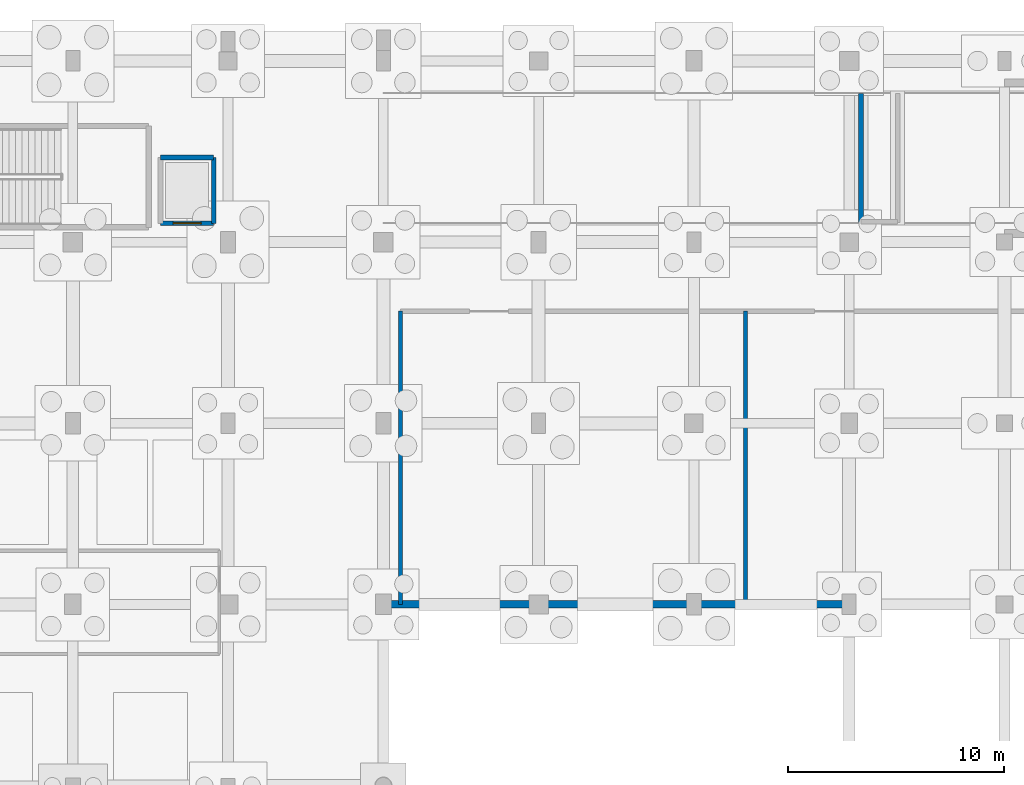
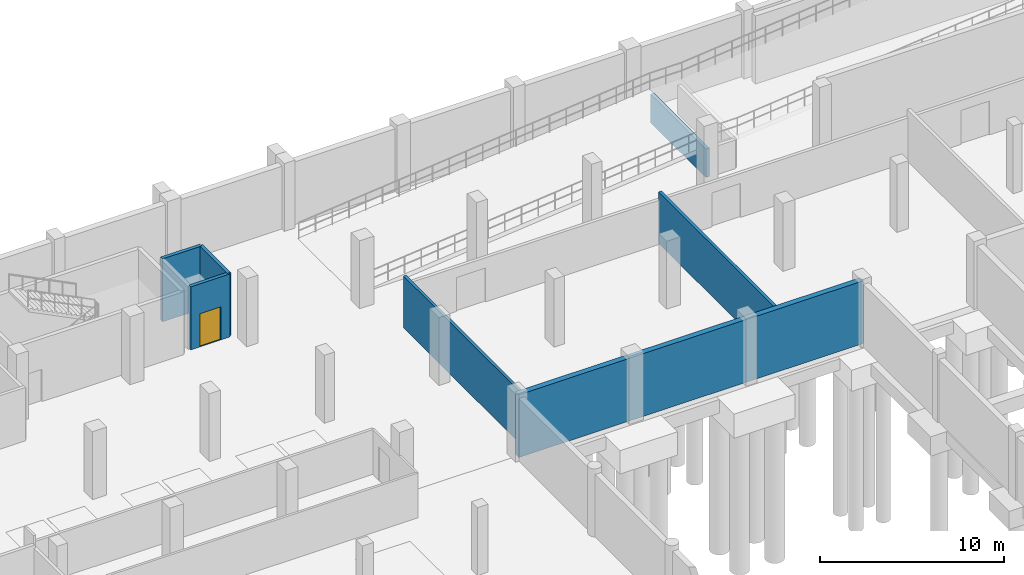
# One storey, part 24 of 35: 7 walls, 1 door, 1 opening.
"""IFC4 building model written with IfcOpenShell, lengths in metres."""

import ifcopenshell
import ifcopenshell.guid

model = None  # the IFC model being written
_history = None  # IfcOwnerHistory: only IFC2X3 demands one
_inside = {}  # id of a spatial element -> (the spatial element, [elements in it])
_under = {}  # id of a project, library or spatial element -> (it, [spatial elements below it])
_declared = {}  # id of a project -> (the project, [libraries it declares])
_typed = {}  # id of a type object -> (the type object, [elements of that type])
_made_of = {}  # id of a material, layer set ... -> (it, [elements and type objects made of it])


def new_model(schema):
    """Start an empty IFC model of exactly this schema.

    Asked for "IFC4X3", IfcOpenShell would pick the latest addendum, in which some entities
    have other attributes; the version numbers below select the first issue.
    IFC2X3 requires an IfcOwnerHistory on every rooted entity: one is made here for all.
    """
    global model, _history
    if schema == "IFC4X3":
        model = ifcopenshell.file(schema_version=(4, 3, 0, 0))
    else:
        model = ifcopenshell.file(schema=schema)
    _inside.clear()
    _under.clear()
    _declared.clear()
    _typed.clear()
    _made_of.clear()
    _history = None
    if model.schema == "IFC2X3":
        org = make("IfcOrganization", Name="unknown")
        user = make(
            "IfcPersonAndOrganization",
            ThePerson=make("IfcPerson", FamilyName="unknown"),
            TheOrganization=org,
        )
        app = make(
            "IfcApplication",
            ApplicationDeveloper=org,
            Version="unknown",
            ApplicationFullName="unknown",
            ApplicationIdentifier="unknown",
        )
        _history = make(
            "IfcOwnerHistory",
            OwningUser=user,
            OwningApplication=app,
            ChangeAction="ADDED",
            CreationDate=0,
        )
    return model


def make(cls, **values):
    """One entity of the class cls with the attributes given. An attribute that is None is left unset."""
    return model.create_entity(
        cls, **{name: value for name, value in values.items() if value is not None}
    )


def rooted(cls, **values):
    """An entity with a GlobalId (a new one), such as an element, a storey or a relation."""
    return make(cls, GlobalId=ifcopenshell.guid.new(), OwnerHistory=_history, **values)


def si_unit(unit_type, name, prefix=None):
    """IfcSIUnit, for example si_unit("LENGTHUNIT", "METRE", prefix="MILLI")."""
    return make("IfcSIUnit", UnitType=unit_type, Prefix=prefix, Name=name)


def assignment(units):
    """IfcUnitAssignment: the units of a project."""
    return None if units is None else make("IfcUnitAssignment", Units=units)


def point(xyz):
    """IfcCartesianPoint."""
    return None if xyz is None else make("IfcCartesianPoint", Coordinates=xyz)


def direction(xyz):
    """IfcDirection."""
    return None if xyz is None else make("IfcDirection", DirectionRatios=xyz)


def frame(location, z_axis=None, x_axis=None):
    """IfcAxis2Placement3D, a coordinate frame: its origin and axes. An axis left out is left unset."""
    return make(
        "IfcAxis2Placement3D",
        Location=point(location),
        Axis=direction(z_axis),
        RefDirection=direction(x_axis),
    )


def frame_2d(location, x_axis=None):
    """IfcAxis2Placement2D, a coordinate frame in the plane: its origin and x axis."""
    return make(
        "IfcAxis2Placement2D", Location=point(location), RefDirection=direction(x_axis)
    )


def origin():
    """The frame at (0, 0, 0) with its axes left unset."""
    return frame((0.0, 0.0, 0.0))


def place(relative_to, where):
    """IfcLocalPlacement: puts the frame where relative to a parent placement (None: the world)."""
    return make(
        "IfcLocalPlacement", PlacementRelTo=relative_to, RelativePlacement=where
    )


def context(
    kind, dimensions, precision=None, world=None, true_north=None, identifier=None
):
    """IfcGeometricRepresentationContext, for example the 3D "Model" context."""
    return make(
        "IfcGeometricRepresentationContext",
        ContextIdentifier=identifier,
        ContextType=kind,
        CoordinateSpaceDimension=dimensions,
        Precision=precision,
        WorldCoordinateSystem=world,
        TrueNorth=true_north,
    )


def subcontext(parent, identifier, kind, view, scale=None):
    """IfcGeometricRepresentationSubContext, for example "Body" below "Model"."""
    return make(
        "IfcGeometricRepresentationSubContext",
        ContextIdentifier=identifier,
        ContextType=kind,
        ParentContext=parent,
        TargetScale=scale,
        TargetView=view,
    )


def project(units=None, contexts=None):
    """IfcProject with its units and contexts."""
    return rooted(
        "IfcProject",
        Name="project",
        RepresentationContexts=contexts,
        UnitsInContext=assignment(units),
    )


def spatial(cls, under=None, at=None, **own):
    """A site, building, storey or space (cls), placed at a placement, below another one or the project."""
    s = rooted(cls, ObjectPlacement=at, **own)
    if under is not None:
        _under.setdefault(under.id(), (under, []))[1].append(s)
    return s


def profile(cls, at=None, kind="AREA", **sizes):
    """A parametric profile (cls). Its sizes go by their IFC names, for example OverallWidth=200.0."""
    return make(cls, ProfileType=kind, Position=at, **sizes)


def rectangle(**sizes):
    """IfcRectangleProfileDef."""
    return profile("IfcRectangleProfileDef", **sizes)


def extrude(swept, where, along, depth):
    """IfcExtrudedAreaSolid: the profile swept, set in the frame where, extruded along a direction by depth."""
    return make(
        "IfcExtrudedAreaSolid",
        SweptArea=swept,
        Position=where,
        ExtrudedDirection=direction(along),
        Depth=depth,
    )


def shape(context_of_items, identifier, shape_type, items):
    """IfcShapeRepresentation: the items that make up one representation, for example the "Body"."""
    return make(
        "IfcShapeRepresentation",
        ContextOfItems=context_of_items,
        RepresentationIdentifier=identifier,
        RepresentationType=shape_type,
        Items=items,
    )


def material(Name=None, Category=None):
    """IfcMaterial."""
    return make("IfcMaterial", Name=Name, Category=Category)


def layer(
    of_material, thickness, ventilated=None, Name=None, Category=None, Priority=None
):
    """IfcMaterialLayer: one layer of a wall or slab, of a material (None: an air gap)."""
    return make(
        "IfcMaterialLayer",
        Material=of_material,
        LayerThickness=thickness,
        IsVentilated=ventilated,
        Name=Name,
        Category=Category,
        Priority=Priority,
    )


def layer_set(layers, Name=None):
    """IfcMaterialLayerSet."""
    return make("IfcMaterialLayerSet", MaterialLayers=layers, LayerSetName=Name)


def made_of(thing, what):
    """Note that an element or type object is made of a material, layer set ...; save() writes the relation."""
    if what is not None:
        _made_of.setdefault(what.id(), (what, []))[1].append(thing)
    return thing


def type_object(cls, material=None, **own):
    """A type object (cls), such as IfcWallType, which elements share."""
    return made_of(rooted(cls, **own), material)


def element(
    cls,
    number,
    at=None,
    inside=None,
    cuts=None,
    type_object=None,
    material=None,
    context=None,
    identifier="Body",
    shape_type=None,
    held_by="IfcProductDefinitionShape",
    body=None,
    shapes=None,
    **own,
):
    """One element of the class cls, such as IfcWall. Its Tag is "e" and its number.

    at: its placement. inside: the storey or other place that contains it. cuts: it is an
    opening in that element (IfcRelVoidsElement). A single representation is given by context,
    identifier, shape_type and body (its items); several are given by shapes. held_by: the class
    of the entity that holds the representations. save() writes the other relations.
    """
    e = rooted(cls, Tag="e%d" % number, ObjectPlacement=at, **own)
    if body is not None:
        shapes = [shape(context, identifier, shape_type, body)]
    if shapes is not None:
        e.Representation = make(held_by, Representations=shapes)
    if inside is not None:
        _inside.setdefault(inside.id(), (inside, []))[1].append(e)
    if cuts is not None:
        rooted(
            "IfcRelVoidsElement", RelatingBuildingElement=cuts, RelatedOpeningElement=e
        )
    if type_object is not None:
        _typed.setdefault(type_object.id(), (type_object, []))[1].append(e)
    return made_of(e, material)


def fill(opening, filler):
    """IfcRelFillsElement: the door or window that sits in an opening."""
    return rooted(
        "IfcRelFillsElement",
        RelatingOpeningElement=opening,
        RelatedBuildingElement=filler,
    )


def aggregate(whole, parts):
    """IfcRelAggregates: a whole, such as a stair, and the parts it consists of."""
    return rooted("IfcRelAggregates", RelatingObject=whole, RelatedObjects=parts)


def save(model, path):
    """Write the relations noted so far, then the file.

    IfcRelAggregates (storeys below a building ...), IfcRelContainedInSpatialStructure (elements
    in a storey), IfcRelDefinesByType, IfcRelAssociatesMaterial and IfcRelDeclares: one each for
    every whole, place, type object, material and project.
    """
    for whole, parts in _under.values():
        aggregate(whole, parts)
    for where, things in _inside.values():
        rooted(
            "IfcRelContainedInSpatialStructure",
            RelatedElements=things,
            RelatingStructure=where,
        )
    for kind, things in _typed.values():
        rooted("IfcRelDefinesByType", RelatedObjects=things, RelatingType=kind)
    for what, things in _made_of.values():
        rooted("IfcRelAssociatesMaterial", RelatedObjects=things, RelatingMaterial=what)
    for by, libraries in _declared.values():
        rooted("IfcRelDeclares", RelatingContext=by, RelatedDefinitions=libraries)
    model.write(path)


model = new_model("IFC4")

# Units and contexts
model_context = context("Model", 3, precision=1e-05, world=origin(), true_north=direction((0.0, 1.0)))
body_context = subcontext(model_context, "Body", "Model", "MODEL_VIEW")
ifc_project = project(units=[si_unit("LENGTHUNIT", "METRE"), si_unit("AREAUNIT", "SQUARE_METRE"), si_unit("VOLUMEUNIT", "CUBIC_METRE"), si_unit("PLANEANGLEUNIT", "RADIAN"), si_unit("MASSUNIT", "GRAM", prefix="KILO")], contexts=[model_context])

# Site, building, storey
site_placement = place(None, origin())
site = spatial("IfcSite", under=ifc_project, at=site_placement, CompositionType="ELEMENT")
building_placement = place(site_placement, origin())
building = spatial("IfcBuilding", under=site, at=building_placement, Name="Kalluvel Institute of Natural Sciences", CompositionType="ELEMENT")
storey_placement = place(building_placement, frame((0.0, 0.0, -4.5)))
storey = spatial("IfcBuildingStorey", under=building, at=storey_placement, Name="B1", CompositionType="ELEMENT", Elevation=-4.5)

# Walls
ifc_material_1 = material(Name="Autoclaved Aerated Concrete Masonry Block", Category="masonry")
ifc_layer_1 = layer(ifc_material_1, 0.179931640625)
ifc_layer_set_1 = layer_set([ifc_layer_1], Name="Autoclaved Aerated Concrete Masonry Block")
wall_type_1 = type_object("IfcWallType", Name="WL-FIRE-180", PredefinedType="SOLIDWALL", material=ifc_layer_set_1)
wall_1_placement = place(storey_placement, frame((86.800048828125, 102.800048828125, 0.0), z_axis=(0.0, 0.0, 1.0), x_axis=(0.0, 1.0, 0.0)))
element("IfcWall", 1, at=wall_1_placement, inside=storey, type_object=wall_type_1, Name="B1 interior fire wall WL-INT-B1-0022", PredefinedType="SOLIDWALL", context=body_context, shape_type="SweptSolid", body=[
    extrude(rectangle(XDim=13.599853515625, YDim=0.179931640625, at=frame_2d((6.7998046875, 0.0))), origin(), (0.0, 0.0, 1.0), 3.43994140625),
])
wall_2_placement = place(storey_placement, frame((102.800048828125, 102.800048828125, 0.0), z_axis=(0.0, 0.0, 1.0), x_axis=(0.0, 1.0, 0.0)))
element("IfcWall", 2, at=wall_2_placement, inside=storey, type_object=wall_type_1, Name="B1 interior fire wall WL-INT-B1-0024", PredefinedType="SOLIDWALL", context=body_context, shape_type="SweptSolid", body=[
    extrude(rectangle(XDim=13.599853515625, YDim=0.179931640625, at=frame_2d((6.7998046875, 0.0))), origin(), (0.0, 0.0, 1.0), 3.409912109375),
])
ifc_material_2 = material(Name="Concrete M40", Category="concrete")
ifc_layer_2 = layer(ifc_material_2, 0.35009765625)
ifc_layer_set_2 = layer_set([ifc_layer_2], Name="Concrete M40")
wall_type_2 = type_object("IfcWallType", Name="WL-RET-350", PredefinedType="USERDEFINED", material=ifc_layer_set_2)
wall_3_placement = place(storey_placement, frame((86.0, 102.800048828125, 0.0), z_axis=(0.0, 0.0, 1.0), x_axis=(1.0, 0.0, 0.0)))
element("IfcWall", 3, at=wall_3_placement, inside=storey, type_object=wall_type_2, Name="Basement perimeter plinth retaining wall 14", ObjectType="RETAINING WALL", PredefinedType="USERDEFINED", context=body_context, shape_type="SweptSolid", body=[
    extrude(rectangle(XDim=21.60009765625, YDim=0.35009765625, at=frame_2d((10.800048828125, 0.0))), origin(), (0.0, 0.0, 1.0), 4.159912109375),
])

# Wall, opening, door
ifc_layer_3 = layer(ifc_material_2, 0.219970703125)
ifc_layer_set_3 = layer_set([ifc_layer_3], Name="Concrete M40")
wall_type_3 = type_object("IfcWallType", Name="WL-SHAFT-220", PredefinedType="SHEAR", material=ifc_layer_set_3)
wall_4_placement = place(storey_placement, frame((75.669921875, 120.469970703125, 0.0), z_axis=(0.0, 0.0, 1.0), x_axis=(1.0, 0.0, 0.0)))
wall_4 = element("IfcWall", 4, at=wall_4_placement, inside=storey, type_object=wall_type_3, Name="LF4 B1 lift shaft wall", PredefinedType="SHEAR", context=body_context, shape_type="SweptSolid", body=[
    extrude(rectangle(XDim=2.4599609375, YDim=0.219970703125, at=frame_2d((1.22998046875, 0.0))), origin(), (0.0, 0.0, 1.0), 4.175048828125),
])
opening_placement = place(wall_4_placement, frame((0.580078125, 0.0, 0.0)))
opening = element("IfcOpeningElement", 5, at=opening_placement, cuts=wall_4, Name="Opening LD-031", PredefinedType="OPENING", context=body_context, shape_type="SweptSolid", body=[
    extrude(rectangle(XDim=1.300048828125, YDim=2.199951171875, at=frame_2d((0.64990234375, 1.10009765625))), frame((0.0, 0.119873046875, 0.0), z_axis=(0.0, -1.0, 0.0), x_axis=(1.0, 0.0, 0.0)), (0.0, 0.0, 1.0), 0.239990234375),
])
ifc_material_3 = material(Name="Galvanized Fire-Rated Steel", Category="steel")
door_type = type_object("IfcDoorType", Name="DR-LD-1300", OperationType="NOTDEFINED", PredefinedType="DOOR", material=ifc_material_3)
door_placement = place(opening_placement, origin())
door = element("IfcDoor", 6, at=door_placement, inside=storey, type_object=door_type, Name="LF4 B1 sliding lift landing door LD-031", OperationType="DOUBLE_DOOR_SLIDING", OverallHeight=2.199951171875, OverallWidth=1.300048828125, PredefinedType="DOOR", context=body_context, shape_type="SweptSolid", body=[
    extrude(rectangle(XDim=1.300048828125, YDim=2.199951171875, at=frame_2d((0.64990234375, 1.10009765625))), frame((0.0, 0.02490234375, 0.0), z_axis=(0.0, -1.0, 0.0), x_axis=(1.0, 0.0, 0.0)), (0.0, 0.0, 1.0), 0.050048828125),
])
fill(opening, door)

# Walls
wall_5_placement = place(storey_placement, frame((78.1298828125, 120.469970703125, 0.0), z_axis=(0.0, 0.0, 1.0), x_axis=(0.0, 1.0, 0.0)))
element("IfcWall", 7, at=wall_5_placement, inside=storey, type_object=wall_type_3, Name="LF4 B1 lift shaft wall", PredefinedType="SHEAR", context=body_context, shape_type="SweptSolid", body=[
    extrude(rectangle(XDim=3.06005859375, YDim=0.219970703125, at=frame_2d((1.530029296875, 0.0))), origin(), (0.0, 0.0, 1.0), 4.175048828125),
])
wall_6_placement = place(storey_placement, frame((78.1298828125, 123.530029296875, 0.0), z_axis=(0.0, 0.0, 1.0), x_axis=(-1.0, 0.0, 0.0)))
element("IfcWall", 8, at=wall_6_placement, inside=storey, type_object=wall_type_3, Name="LF4 B1 lift shaft wall", PredefinedType="SHEAR", context=body_context, shape_type="SweptSolid", body=[
    extrude(rectangle(XDim=2.4599609375, YDim=0.219970703125, at=frame_2d((1.22998046875, 0.0))), origin(), (0.0, 0.0, 1.0), 4.175048828125),
])
wall_7_placement = place(storey_placement, frame((108.14990234375, 120.5, 0.0), z_axis=(0.0, 0.0, 1.0), x_axis=(0.0, 1.0, 0.0)))
element("IfcWall", 9, at=wall_7_placement, inside=storey, type_object=wall_type_3, Name="B1 vehicle ramp mid-landing support wall W", PredefinedType="SHEAR", context=body_context, shape_type="SweptSolid", body=[
    extrude(rectangle(XDim=6.0, YDim=0.219970703125, at=frame_2d((3.0, 0.0))), origin(), (0.0, 0.0, 1.0), 1.89990234375),
])

save(model, "model.ifc")
